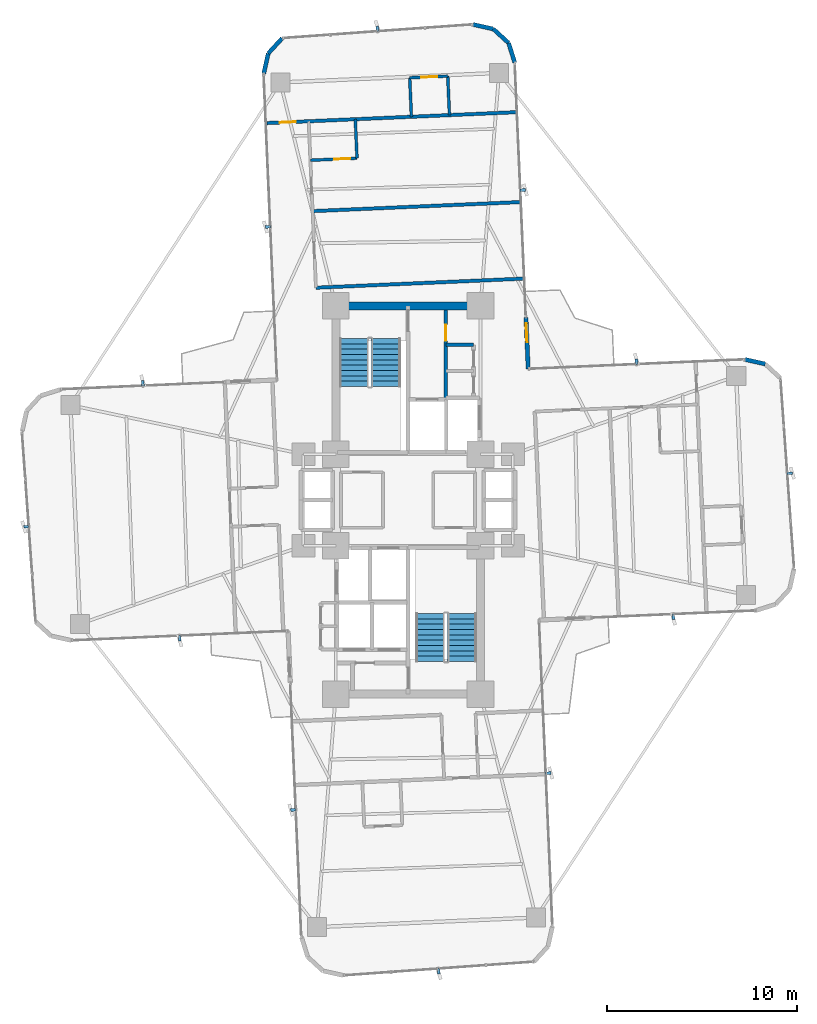
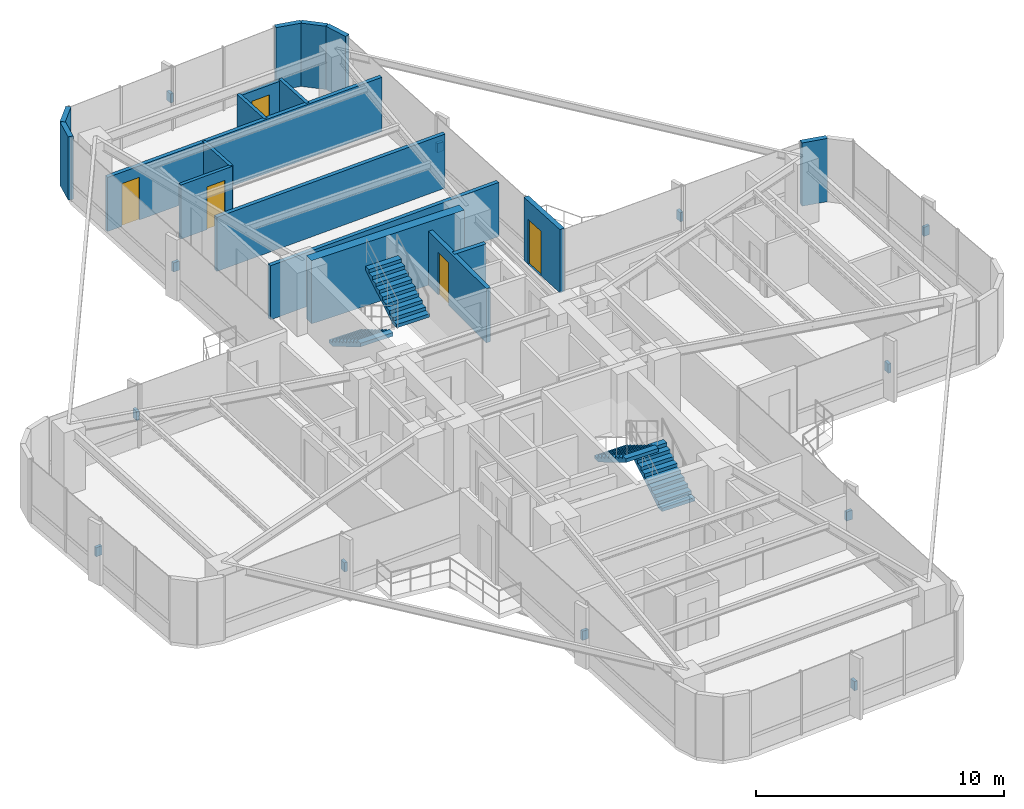
# One storey, part 25 of 26: 18 walls, 12 discrete accessories, 5 doors, 4 stair flights, 5 openings, 2 elements without a shape of their own.
"""IFC4 building model written with IfcOpenShell, lengths in metres."""

from ifc_helpers import new_model, si_unit, direction, frame, frame_2d, origin, origin_2d, place, context, subcontext, project, spatial, polyline, rectangle, outline, extrude, source, transform, mapped, material, layer, layer_set, type_object, element, fill, aggregate, save


model = new_model("IFC4")

# Units and contexts
model_context = context("Model", 3, precision=1e-05, world=origin(), true_north=direction((0.0, 1.0)))
body_context = subcontext(model_context, "Body", "Model", "MODEL_VIEW")
ifc_project = project(units=[si_unit("LENGTHUNIT", "METRE"), si_unit("AREAUNIT", "SQUARE_METRE"), si_unit("VOLUMEUNIT", "CUBIC_METRE"), si_unit("PLANEANGLEUNIT", "RADIAN"), si_unit("MASSUNIT", "GRAM", prefix="KILO")], contexts=[model_context])

# Site, building, storey
site_placement = place(None, origin())
site = spatial("IfcSite", under=ifc_project, at=site_placement, CompositionType="ELEMENT")
building_placement = place(site_placement, origin())
building = spatial("IfcBuilding", under=site, at=building_placement, Name="Sahyath Konkavel Grand Hotel", CompositionType="ELEMENT")
storey_placement = place(building_placement, frame((0.0, 0.0, 93.550048828125)))
storey = spatial("IfcBuildingStorey", under=building, at=storey_placement, Name="L25", CompositionType="ELEMENT", Elevation=93.550048828125)

# Walls
ifc_material_1 = material(Name="Concrete C50/60", Category="concrete")
ifc_layer_1 = layer(ifc_material_1, 0.419921875)
ifc_layer_set_1 = layer_set([ifc_layer_1], Name="Concrete C50/60")
wall_type_1 = type_object("IfcWallType", Name="CWALL-420", PredefinedType="SHEAR", material=ifc_layer_set_1)
wall_1_placement = place(storey_placement, frame((-3.550048828125, 10.199951171875, 0.0), z_axis=(0.0, 0.0, 1.0), x_axis=(1.0, 0.0, 0.0)))
element("IfcWall", 1, at=wall_1_placement, inside=storey, type_object=wall_type_1, Name="L25 North Core Shear Wall N", PredefinedType="SHEAR", context=body_context, shape_type="SweptSolid", body=[
    extrude(rectangle(XDim=7.10009765625, YDim=0.419921875, at=frame_2d((3.550048828125, 0.0))), origin(), (0.0, 0.0, 1.0), 3.10986328125),
])
ifc_material_2 = material(Name="Warm Buff Sandstone Insulated Concrete C40/50", Category="masonry")
ifc_layer_2 = layer(ifc_material_2, 0.219970703125)
ifc_layer_set_2 = layer_set([ifc_layer_2], Name="Warm Buff Sandstone Insulated Concrete C40/50")
wall_type_2 = type_object("IfcWallType", Name="WLL-BALC-THRESH", PredefinedType="STANDARD", material=ifc_layer_set_2)
wall_2_placement = place(storey_placement, frame((18.75634765625, 7.1435546875, 0.0), z_axis=(0.0, 0.0, 1.0), x_axis=(-0.976282085775, 0.216502399514, 0.0)))
element("IfcWall", 2, at=wall_2_placement, inside=storey, type_object=wall_type_2, Name="L25 Rounded Corner Sandstone Pier 6", PredefinedType="STANDARD", context=body_context, shape_type="SweptSolid", body=[
    extrude(rectangle(XDim=1.087158203125, YDim=0.219970703125, at=frame_2d((0.54345703125, 0.0))), origin(), (0.0, 0.0, 1.0), 3.10986328125),
])

# Wall, opening, door
wall_3_placement = place(storey_placement, frame((6.305908203125, 6.881591796875, 0.0), z_axis=(0.0, 0.0, 1.0), x_axis=(-0.043672655174, 0.999045894436, 0.0)))
wall_3 = element("IfcWall", 3, at=wall_3_placement, inside=storey, type_object=wall_type_2, Name="L25 Winter-Garden Threshold Wall 8", PredefinedType="STANDARD", context=body_context, shape_type="SweptSolid", body=[
    extrude(rectangle(XDim=2.7001953125, YDim=0.219970703125, at=frame_2d((1.35009765625, 0.0))), origin(), (0.0, 0.0, 1.0), 3.10986328125),
])
opening_1_placement = place(wall_3_placement, frame((1.39990234375, 0.0, 0.0)))
opening_1 = element("IfcOpeningElement", 4, at=opening_1_placement, cuts=wall_3, Name="Opening D-TR1", PredefinedType="OPENING", context=body_context, shape_type="SweptSolid", body=[
    extrude(rectangle(XDim=1.0, YDim=2.199951171875, at=frame_2d((0.5, 1.10009765625))), frame((0.0, 0.1201171875, 0.0), z_axis=(0.0, -1.0, 0.0), x_axis=(1.0, 0.0, 0.0)), (0.0, 0.0, 1.0), 0.239990234375),
])
ifc_material_3 = material(Name="Anodised Bronze Aluminium & Low-E Glazing", Category="aluminium")
door_type_1 = type_object("IfcDoorType", Name="DR-TERRACE-1000", OperationType="NOTDEFINED", PredefinedType="DOOR", material=ifc_material_3)
shared_shape_1 = source(origin(), body_context, "Body", "SweptSolid", [
    extrude(rectangle(XDim=1.0, YDim=0.050048828125, at=origin_2d()), origin(), (0.0, 0.0, 1.0), 2.199951171875),
])
door_1_placement = place(opening_1_placement, frame((0.5, 0.0, 0.0)))
door_1 = element("IfcDoor", 5, at=door_1_placement, inside=storey, type_object=door_type_1, Name="L25 Winter-Garden Terrace Door 8", OperationType="SINGLE_SWING_LEFT", OverallHeight=2.199951171875, OverallWidth=1.0, PredefinedType="DOOR", context=body_context, shape_type="MappedRepresentation", body=[
    mapped(shared_shape_1, transform((0.0, 0.0, 0.0), scale=1.0)),
])
fill(opening_1, door_1)

# Walls
wall_4_placement = place(storey_placement, frame((5.603515625, 22.96630859375, 0.0), z_axis=(0.0, 0.0, 1.0), x_axis=(-0.300755105707, 0.953701403161, 0.0)))
element("IfcWall", 6, at=wall_4_placement, inside=storey, type_object=wall_type_2, Name="L25 Rounded Corner Sandstone Pier 9", PredefinedType="STANDARD", context=body_context, shape_type="SweptSolid", body=[
    extrude(rectangle(XDim=1.0869140625, YDim=0.219970703125, at=frame_2d((0.54345703125, 0.0))), origin(), (0.0, 0.0, 1.0), 3.10986328125),
])
wall_5_placement = place(storey_placement, frame((5.276611328125, 24.0029296875, 0.0), z_axis=(0.0, 0.0, 1.0), x_axis=(-0.737312600672, 0.675551721847, 0.0)))
element("IfcWall", 7, at=wall_5_placement, inside=storey, type_object=wall_type_2, Name="L25 Rounded Corner Sandstone Pier 10", PredefinedType="STANDARD", context=body_context, shape_type="SweptSolid", body=[
    extrude(rectangle(XDim=1.087158203125, YDim=0.219970703125, at=frame_2d((0.54345703125, 0.0))), origin(), (0.0, 0.0, 1.0), 3.10986328125),
])
for number, where, z_axis, x_axis, name in (
    (8, (4.47509765625, 24.7373046875, 0.0), (0.0, 0.0, 1.0), (-0.976271555154, 0.216549880158, 0.0), "L25 Rounded Corner Sandstone Pier 11"),
    (9, (-6.6142578125, 24.253173828125, 0.0), (0.0, 0.0, 1.0), (-0.675663596772, -0.737210081318, 0.0), "L25 Rounded Corner Sandstone Pier 13"),
):
    element("IfcWall", number, at=place(storey_placement, frame(where, z_axis=z_axis, x_axis=x_axis)), inside=storey, type_object=wall_type_2, Name=name, PredefinedType="STANDARD", context=body_context, shape_type="SweptSolid", body=[
        extrude(rectangle(XDim=1.0869140625, YDim=0.219970703125, at=frame_2d((0.54345703125, 0.0))), origin(), (0.0, 0.0, 1.0), 3.10986328125),
    ])
wall_6_placement = place(storey_placement, frame((-7.3486328125, 23.451904296875, 0.0), z_axis=(0.0, 0.0, 1.0), x_axis=(-0.216454939174, -0.976292609471, 0.0)))
element("IfcWall", 10, at=wall_6_placement, inside=storey, type_object=wall_type_2, Name="L25 Rounded Corner Sandstone Pier 14", PredefinedType="STANDARD", context=body_context, shape_type="SweptSolid", body=[
    extrude(rectangle(XDim=1.08740234375, YDim=0.219970703125, at=frame_2d((0.543701171875, 0.0))), origin(), (0.0, 0.0, 1.0), 3.10986328125),
])

# Wall, opening, door
ifc_material_4 = material(Name="Concrete C40/50", Category="concrete")
ifc_layer_3 = layer(ifc_material_4, 0.199951171875)
ifc_layer_set_3 = layer_set([ifc_layer_3], Name="Concrete C40/50")
wall_type_3 = type_object("IfcWallType", Name="WLL-CORE-200", PredefinedType="SOLIDWALL", material=ifc_layer_set_3)
wall_7_placement = place(storey_placement, frame((1.97998046875, 5.320068359375, 0.0), z_axis=(0.0, 0.0, 1.0), x_axis=(0.0, 1.0, 0.0)))
wall_7 = element("IfcWall", 11, at=wall_7_placement, inside=storey, type_object=wall_type_3, Name="L25 North Firefighting Lobby Wall E", PredefinedType="SOLIDWALL", context=body_context, shape_type="SweptSolid", body=[
    extrude(rectangle(XDim=4.659912109375, YDim=0.199951171875, at=frame_2d((2.330078125, 0.0))), origin(), (0.0, 0.0, 1.0), 2.659912109375),
])
opening_2_placement = place(wall_7_placement, frame((3.0400390625, 0.0, 0.0)))
opening_2 = element("IfcOpeningElement", 12, at=opening_2_placement, cuts=wall_7, Name="Opening D-F12D", PredefinedType="OPENING", context=body_context, shape_type="SweptSolid", body=[
    extrude(rectangle(XDim=0.85009765625, YDim=2.10009765625, at=frame_2d((0.425048828125, 1.050048828125))), frame((0.0, 0.10986328125, 0.0), z_axis=(0.0, -1.0, 0.0), x_axis=(1.0, 0.0, 0.0)), (0.0, 0.0, 1.0), 0.219970703125),
])
ifc_material_5 = material(Name="Steel E350 Core Fire Door", Category="steel")
door_type_2 = type_object("IfcDoorType", Name="DR-FD120-850", OperationType="NOTDEFINED", PredefinedType="DOOR", material=ifc_material_5)
shared_shape_2 = source(origin(), body_context, "Body", "SweptSolid", [
    extrude(rectangle(XDim=0.85009765625, YDim=0.050048828125, at=origin_2d()), origin(), (0.0, 0.0, 1.0), 2.10009765625),
])
door_2_placement = place(opening_2_placement, frame((0.425048828125, 0.0, 0.0)))
door_2 = element("IfcDoor", 13, at=door_2_placement, inside=storey, type_object=door_type_2, Name="L25 North Firefighting Lobby Door", OperationType="SINGLE_SWING_LEFT", OverallHeight=2.10009765625, OverallWidth=0.85009765625, PredefinedType="DOOR", context=body_context, shape_type="MappedRepresentation", body=[
    mapped(shared_shape_2, transform((0.0, 0.0, 0.0), scale=1.0)),
])
fill(opening_2, door_2)

# Walls
wall_8_placement = place(storey_placement, frame((1.97998046875, 8.14990234375, 0.0), z_axis=(0.0, 0.0, 1.0), x_axis=(1.0, 0.0, 0.0)))
element("IfcWall", 14, at=wall_8_placement, inside=storey, type_object=wall_type_3, Name="L25 Partition NC-REC-N", PredefinedType="SOLIDWALL", context=body_context, shape_type="SweptSolid", body=[
    extrude(rectangle(XDim=1.4599609375, YDim=0.199951171875, at=frame_2d((0.72998046875, 0.0))), origin(), (0.0, 0.0, 1.0), 2.659912109375),
])
ifc_material_6 = material(Name="Twin-Stud Acoustic Gypsum Plasterboard Partition")
ifc_layer_4 = layer(ifc_material_6, 0.179931640625)
ifc_layer_set_4 = layer_set([ifc_layer_4], Name="Twin-Stud Acoustic Gypsum Plasterboard Partition")
wall_type_4 = type_object("IfcWallType", Name="WLL-DEMISE-180", PredefinedType="PARTITIONING", material=ifc_layer_set_4)
for number, where, z_axis, x_axis, name in (
    (15, (6.048583984375, 11.625, 0.0), (0.0, 0.0, 1.0), (-0.999047644663, -0.043632598969, 0.0), "L25 Partition N-G5I"),
    (16, (-5.0166015625, 15.170654296875, 0.0), (0.0, 0.0, 1.0), (0.999048663393, 0.043609267053, 0.0), "L25 Partition N-ND1-DEM"),
):
    element("IfcWall", number, at=place(storey_placement, frame(where, z_axis=z_axis, x_axis=x_axis)), inside=storey, type_object=wall_type_4, Name=name, PredefinedType="PARTITIONING", context=body_context, shape_type="SweptSolid", body=[
        extrude(rectangle(XDim=10.89990234375, YDim=0.179931640625, at=frame_2d((5.449951171875, 0.0))), origin(), (0.0, 0.0, 1.0), 2.659912109375),
    ])

# Wall, opening, door
wall_9_placement = place(storey_placement, frame((5.6669921875, 20.36669921875, 0.0), z_axis=(0.0, 0.0, 1.0), x_axis=(-0.999047806124, -0.043628901879, 0.0)))
wall_9 = element("IfcWall", 17, at=wall_9_placement, inside=storey, type_object=wall_type_4, Name="L25 Partition N-NTIP-END", PredefinedType="PARTITIONING", context=body_context, shape_type="SweptSolid", body=[
    extrude(rectangle(XDim=13.099853515625, YDim=0.179931640625, at=frame_2d((6.5498046875, 0.0))), origin(), (0.0, 0.0, 1.0), 2.659912109375),
])
opening_3_placement = place(wall_9_placement, frame((11.574951171875, 0.0, 0.0)))
opening_3 = element("IfcOpeningElement", 18, at=opening_3_placement, cuts=wall_9, Name="Opening D-F06D", PredefinedType="OPENING", context=body_context, shape_type="SweptSolid", body=[
    extrude(rectangle(XDim=0.85009765625, YDim=2.10009765625, at=frame_2d((0.425048828125, 1.050048828125))), frame((0.0, 0.10009765625, 0.0), z_axis=(0.0, -1.0, 0.0), x_axis=(1.0, 0.0, 0.0)), (0.0, 0.0, 1.0), 0.199951171875),
])
ifc_material_7 = material(Name="Fire-Rated Shaft Access Door")
door_type_3 = type_object("IfcDoorType", Name="DR-FD60-850", OperationType="NOTDEFINED", PredefinedType="DOOR", material=ifc_material_7)
door_3_placement = place(opening_3_placement, frame((0.425048828125, 0.0, 0.0)))
door_3 = element("IfcDoor", 19, at=door_3_placement, inside=storey, type_object=door_type_3, Name="L25 Door N-NTIP-ED", OperationType="SINGLE_SWING_LEFT", OverallHeight=2.10009765625, OverallWidth=0.85009765625, PredefinedType="DOOR", context=body_context, shape_type="MappedRepresentation", body=[
    mapped(shared_shape_2, transform((0.0, 0.0, 0.0), scale=1.0)),
])
fill(opening_3, door_3)

ifc_material_8 = material(Name="Fire-Rated Gypsum Plasterboard Partition")
ifc_layer_5 = layer(ifc_material_8, 0.14990234375)
ifc_layer_set_5 = layer_set([ifc_layer_5], Name="Fire-Rated Gypsum Plasterboard Partition")
wall_type_5 = type_object("IfcWallType", Name="WLL-PART-150", PredefinedType="PARTITIONING", material=ifc_layer_set_5)
wall_10_placement = place(storey_placement, frame((-5.13330078125, 17.843017578125, 0.0), z_axis=(0.0, 0.0, 1.0), x_axis=(0.999047112283, 0.043644787072, 0.0)))
wall_10 = element("IfcWall", 20, at=wall_10_placement, inside=storey, type_object=wall_type_5, Name="L25 Partition N-ND2-BS", PredefinedType="PARTITIONING", context=body_context, shape_type="SweptSolid", body=[
    extrude(rectangle(XDim=2.4501953125, YDim=0.14990234375, at=frame_2d((1.22509765625, 0.0))), origin(), (0.0, 0.0, 1.0), 2.659912109375),
])
opening_4_placement = place(wall_10_placement, frame((1.25, 0.0, 0.0)))
opening_4 = element("IfcOpeningElement", 21, at=opening_4_placement, cuts=wall_10, Name="Opening D-BT85", PredefinedType="OPENING", context=body_context, shape_type="SweptSolid", body=[
    extrude(rectangle(XDim=0.85009765625, YDim=2.10009765625, at=frame_2d((0.425048828125, 1.050048828125))), frame((0.0, 0.0849609375, 0.0), z_axis=(0.0, -1.0, 0.0), x_axis=(1.0, 0.0, 0.0)), (0.0, 0.0, 1.0), 0.169921875),
])
ifc_material_9 = material(Name="Moisture-Resistant Teak Bathroom Door")
door_type_4 = type_object("IfcDoorType", Name="DR-BATH-850", OperationType="NOTDEFINED", PredefinedType="DOOR", material=ifc_material_9)
door_4_placement = place(opening_4_placement, frame((0.425048828125, 0.0, 0.0)))
door_4 = element("IfcDoor", 22, at=door_4_placement, inside=storey, type_object=door_type_4, Name="L25 Door N-ND2-BD", OperationType="SINGLE_SWING_RIGHT", OverallHeight=2.10009765625, OverallWidth=0.85009765625, PredefinedType="DOOR", context=body_context, shape_type="MappedRepresentation", body=[
    mapped(shared_shape_2, transform((0.0, 0.0, 0.0), scale=1.0)),
])
fill(opening_4, door_4)

# Walls
for number, where, z_axis, x_axis, name in (
    (23, (-2.685546875, 17.949951171875, 0.0), (0.0, 0.0, 1.0), (-0.043587097972, 0.999049630844, 0.0), "L25 Partition N-ND2-BF"),
    (24, (0.17236328125, 20.126708984375, 0.0), (0.0, 0.0, 1.0), (-0.043705961225, 0.999044437927, 0.0), "L25 Partition N-NTIP-BN"),
    (25, (2.17041015625, 20.2138671875, 0.0), (0.0, 0.0, 1.0), (-0.043705961225, 0.999044437927, 0.0), "L25 Partition N-NTIP-BS"),
):
    element("IfcWall", number, at=place(storey_placement, frame(where, z_axis=z_axis, x_axis=x_axis)), inside=storey, type_object=wall_type_5, Name=name, PredefinedType="PARTITIONING", context=body_context, shape_type="SweptSolid", body=[
        extrude(rectangle(XDim=2.050048828125, YDim=0.14990234375, at=frame_2d((1.02490234375, 0.0))), origin(), (0.0, 0.0, 1.0), 2.659912109375),
    ])

# Wall, opening, door
wall_11_placement = place(storey_placement, frame((2.080810546875, 22.261962890625, 0.0), z_axis=(0.0, 0.0, 1.0), x_axis=(-0.999049929275, -0.043580257179, 0.0)))
wall_11 = element("IfcWall", 26, at=wall_11_placement, inside=storey, type_object=wall_type_5, Name="L25 Partition N-NTIP-BE", PredefinedType="PARTITIONING", context=body_context, shape_type="SweptSolid", body=[
    extrude(rectangle(XDim=2.0, YDim=0.14990234375, at=frame_2d((1.0, 0.0))), origin(), (0.0, 0.0, 1.0), 2.579833984375),
])
opening_5_placement = place(wall_11_placement, frame((0.550048828125, 0.0, 0.0)))
opening_5 = element("IfcOpeningElement", 27, at=opening_5_placement, cuts=wall_11, Name="Opening D-BT85", PredefinedType="OPENING", context=body_context, shape_type="SweptSolid", body=[
    extrude(rectangle(XDim=0.85009765625, YDim=2.10009765625, at=frame_2d((0.425048828125, 1.050048828125))), frame((0.0, 0.0849609375, 0.0), z_axis=(0.0, -1.0, 0.0), x_axis=(1.0, 0.0, 0.0)), (0.0, 0.0, 1.0), 0.169921875),
])
door_5_placement = place(opening_5_placement, frame((0.425048828125, 0.0, 0.0)))
door_5 = element("IfcDoor", 28, at=door_5_placement, inside=storey, type_object=door_type_4, Name="L25 Door N-NTIP-BD", OperationType="SINGLE_SWING_RIGHT", OverallHeight=2.10009765625, OverallWidth=0.85009765625, PredefinedType="DOOR", context=body_context, shape_type="MappedRepresentation", body=[
    mapped(shared_shape_2, transform((0.0, 0.0, 0.0), scale=1.0)),
])
fill(opening_5, door_5)

# Stair, stair flights
stair_type = type_object("IfcStairType", Name="STR-ST16-335", PredefinedType="HALF_TURN_STAIR", material=ifc_material_4)
stair_1_placement = place(storey_placement, origin())
stair_1 = element("IfcStair", 29, at=stair_1_placement, inside=storey, type_object=stair_type, Name="L25 North Core Smokeproof Exit Stair ST-1", PredefinedType="HALF_TURN_STAIR")
stair_flight_type = type_object("IfcStairFlightType", Name="STF-ST16-335", PredefinedType="STRAIGHT", material=ifc_material_4)
stair_flight_1_placement = place(storey_placement, frame((-2.840087890625, 8.47998046875, 0.0), z_axis=(0.0, 0.0, 1.0), x_axis=(0.0, -1.0, 0.0)))
stair_flight_1 = element("IfcStairFlight", 30, at=stair_flight_1_placement, type_object=stair_flight_type, Name="ST-1 flight 1", NumberOfRisers=10, NumberOfTreads=9, PredefinedType="STRAIGHT", RiserHeight=0.1675, TreadLength=0.28, context=body_context, shape_type="SweptSolid", body=[
    extrude(outline(polyline([(0.0, 0.0), (0.0, 0.16748046875), (0.280029296875, 0.16748046875), (0.280029296875, 0.3349609375), (0.56005859375, 0.3349609375), (0.56005859375, 0.50244140625), (0.840087890625, 0.50244140625), (0.840087890625, 0.669921875), (1.1201171875, 0.669921875), (1.1201171875, 0.83740234375), (1.39990234375, 0.83740234375), (1.39990234375, 1.0048828125), (1.679931640625, 1.0048828125), (1.679931640625, 1.172607421875), (1.9599609375, 1.172607421875), (1.9599609375, 1.340087890625), (2.239990234375, 1.340087890625), (2.239990234375, 1.507568359375), (2.52001953125, 1.507568359375), (2.52001953125, 1.675048828125), (2.52001953125, 1.332763671875), (0.2919921875, 0.0), (0.0, 0.0)])), frame((0.0, 0.760009765625, 0.0), z_axis=(0.0, -1.0, 0.0), x_axis=(1.0, 0.0, 0.0)), (0.0, 0.0, 1.0), 1.52001953125),
])
stair_flight_2_placement = place(storey_placement, frame((-1.159912109375, 5.9599609375, 1.675048828125), z_axis=(0.0, 0.0, 1.0), x_axis=(0.0, 1.0, 0.0)))
stair_flight_2 = element("IfcStairFlight", 31, at=stair_flight_2_placement, type_object=stair_flight_type, Name="ST-1 flight 2", NumberOfRisers=10, NumberOfTreads=9, PredefinedType="STRAIGHT", RiserHeight=0.1675, TreadLength=0.28, context=body_context, shape_type="SweptSolid", body=[
    extrude(outline(polyline([(0.0, 0.0), (0.0, 0.16748046875), (0.280029296875, 0.16748046875), (0.280029296875, 0.3349609375), (0.56005859375, 0.3349609375), (0.56005859375, 0.50244140625), (0.840087890625, 0.50244140625), (0.840087890625, 0.669921875), (1.1201171875, 0.669921875), (1.1201171875, 0.83740234375), (1.39990234375, 0.83740234375), (1.39990234375, 1.0048828125), (1.679931640625, 1.0048828125), (1.679931640625, 1.172607421875), (1.9599609375, 1.172607421875), (1.9599609375, 1.340087890625), (2.239990234375, 1.340087890625), (2.239990234375, 1.507568359375), (2.52001953125, 1.507568359375), (2.52001953125, 1.675048828125), (2.52001953125, 1.332763671875), (0.2919921875, 0.0), (0.0, 0.0)])), frame((0.0, 0.760009765625, 0.0), z_axis=(0.0, -1.0, 0.0), x_axis=(1.0, 0.0, 0.0)), (0.0, 0.0, 1.0), 1.52001953125),
])
aggregate(stair_1, [stair_flight_1, stair_flight_2])

stair_2_placement = place(storey_placement, origin())
stair_2 = element("IfcStair", 32, at=stair_2_placement, inside=storey, type_object=stair_type, Name="L25 South Core Smokeproof Exit Stair ST-2", PredefinedType="HALF_TURN_STAIR")
stair_flight_3_placement = place(storey_placement, frame((2.840087890625, -8.47998046875, 0.0), z_axis=(0.0, 0.0, 1.0), x_axis=(0.0, 1.0, 0.0)))
stair_flight_3 = element("IfcStairFlight", 33, at=stair_flight_3_placement, type_object=stair_flight_type, Name="ST-2 flight 1", NumberOfRisers=10, NumberOfTreads=9, PredefinedType="STRAIGHT", RiserHeight=0.1675, TreadLength=0.28, context=body_context, shape_type="SweptSolid", body=[
    extrude(outline(polyline([(0.0, 0.0), (0.0, 0.16748046875), (0.280029296875, 0.16748046875), (0.280029296875, 0.3349609375), (0.56005859375, 0.3349609375), (0.56005859375, 0.50244140625), (0.840087890625, 0.50244140625), (0.840087890625, 0.669921875), (1.1201171875, 0.669921875), (1.1201171875, 0.83740234375), (1.39990234375, 0.83740234375), (1.39990234375, 1.0048828125), (1.679931640625, 1.0048828125), (1.679931640625, 1.172607421875), (1.9599609375, 1.172607421875), (1.9599609375, 1.340087890625), (2.239990234375, 1.340087890625), (2.239990234375, 1.507568359375), (2.52001953125, 1.507568359375), (2.52001953125, 1.675048828125), (2.52001953125, 1.332763671875), (0.2919921875, 0.0), (0.0, 0.0)])), frame((0.0, 0.760009765625, 0.0), z_axis=(0.0, -1.0, 0.0), x_axis=(1.0, 0.0, 0.0)), (0.0, 0.0, 1.0), 1.52001953125),
])
stair_flight_4_placement = place(storey_placement, frame((1.159912109375, -5.9599609375, 1.675048828125), z_axis=(0.0, 0.0, 1.0), x_axis=(0.0, -1.0, 0.0)))
stair_flight_4 = element("IfcStairFlight", 34, at=stair_flight_4_placement, type_object=stair_flight_type, Name="ST-2 flight 2", NumberOfRisers=10, NumberOfTreads=9, PredefinedType="STRAIGHT", RiserHeight=0.1675, TreadLength=0.28, context=body_context, shape_type="SweptSolid", body=[
    extrude(outline(polyline([(0.0, 0.0), (0.0, 0.16748046875), (0.280029296875, 0.16748046875), (0.280029296875, 0.3349609375), (0.56005859375, 0.3349609375), (0.56005859375, 0.50244140625), (0.840087890625, 0.50244140625), (0.840087890625, 0.669921875), (1.1201171875, 0.669921875), (1.1201171875, 0.83740234375), (1.39990234375, 0.83740234375), (1.39990234375, 1.0048828125), (1.679931640625, 1.0048828125), (1.679931640625, 1.172607421875), (1.9599609375, 1.172607421875), (1.9599609375, 1.340087890625), (2.239990234375, 1.340087890625), (2.239990234375, 1.507568359375), (2.52001953125, 1.507568359375), (2.52001953125, 1.675048828125), (2.52001953125, 1.332763671875), (0.2919921875, 0.0), (0.0, 0.0)])), frame((0.0, 0.760009765625, 0.0), z_axis=(0.0, -1.0, 0.0), x_axis=(1.0, 0.0, 0.0)), (0.0, 0.0, 1.0), 1.52001953125),
])
aggregate(stair_2, [stair_flight_3, stair_flight_4])

# Discrete accessories
ifc_material_10 = material(Name="Steel E350", Category="steel")
discrete_accessory_type = type_object("IfcDiscreteAccessoryType", Name="ACC-FIN-BRACKET", PredefinedType="BRACKET", material=ifc_material_10)
shared_shape_3 = source(origin(), body_context, "Body", "SweptSolid", [
    extrude(rectangle(XDim=0.280029296875, YDim=0.139892578125, at=origin_2d()), origin(), (0.0, 0.0, 1.0), 0.449951171875),
])
for number, where, z_axis, x_axis, name in (
    (35, (13.9306640625, -6.128173828125, 1.330078125), (0.0, 0.0, 1.0), (0.043601950678, -0.999048982732, 0.0), "L25 Fin Support Bracket F0-1"),
    (36, (20.047119140625, 1.404296875, 1.330078125), (0.0, 0.0, 1.0), (0.997435789037, 0.071567078661, 0.0), "L25 Fin Support Bracket F4-2"),
    (37, (11.99462890625, 7.26025390625, 1.330078125), (0.0, 0.0, 1.0), (-0.043619387365, 0.999048221582, 0.0), "L25 Fin Support Bracket F7-1"),
    (38, (6.025634765625, 16.2783203125, 1.330078125), (0.0, 0.0, 1.0), (0.999048221582, 0.043619387365, 0.0), "L25 Fin Support Bracket F8-1"),
    (39, (-1.609375, 24.74267578125, 1.330078125), (0.0, 0.0, 1.0), (-0.071567078661, 0.997435789037, 0.0), "L25 Fin Support Bracket F12-2"),
    (40, (-7.362548828125, 14.342529296875, 1.330078125), (0.0, 0.0, 1.0), (-0.999048221582, -0.043619387365, 0.0), "L25 Fin Support Bracket F15-1"),
    (41, (-13.9306640625, 6.128173828125, 1.330078125), (0.0, 0.0, 1.0), (-0.043601950678, 0.999048982732, 0.0), "L25 Fin Support Bracket F16-1"),
    (42, (-20.047119140625, -1.404296875, 1.330078125), (0.0, 0.0, 1.0), (-0.997435789037, -0.071567078661, 0.0), "L25 Fin Support Bracket F20-2"),
    (43, (-11.99462890625, -7.26025390625, 1.330078125), (0.0, 0.0, 1.0), (0.043619387365, -0.999048221582, 0.0), "L25 Fin Support Bracket F23-1"),
    (44, (-6.025634765625, -16.2783203125, 1.330078125), (0.0, 0.0, 1.0), (-0.999048221582, -0.043619387365, 0.0), "L25 Fin Support Bracket F24-1"),
    (45, (1.609375, -24.74267578125, 1.330078125), (0.0, 0.0, 1.0), (0.071567078661, -0.997435789037, 0.0), "L25 Fin Support Bracket F28-2"),
    (46, (7.362548828125, -14.342529296875, 1.330078125), (0.0, 0.0, 1.0), (0.999048221582, 0.043619387365, 0.0), "L25 Fin Support Bracket F31-1"),
):
    element("IfcDiscreteAccessory", number, at=place(storey_placement, frame(where, z_axis=z_axis, x_axis=x_axis)), inside=storey, type_object=discrete_accessory_type, Name=name, PredefinedType="BRACKET", context=body_context, shape_type="MappedRepresentation", body=[
        mapped(shared_shape_3, transform((0.0, 0.0, 0.0), scale=1.0)),
    ])

save(model, "model.ifc")
